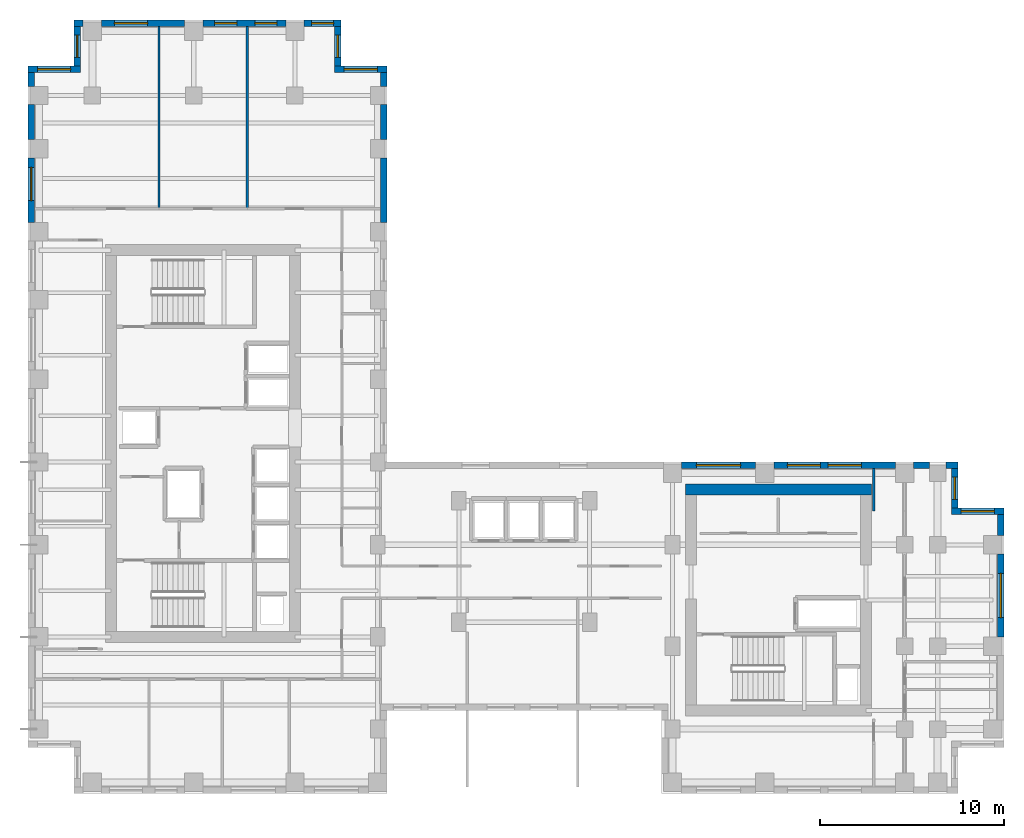
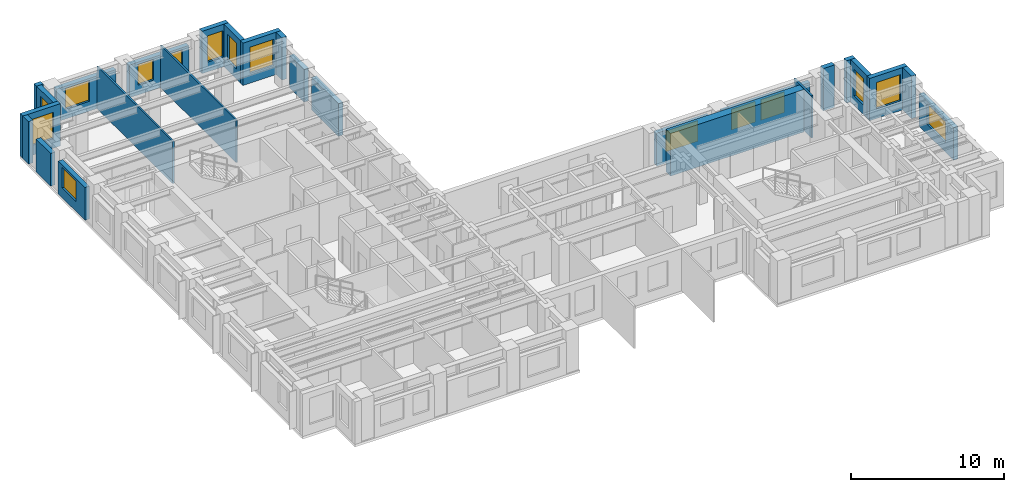
# One storey, part 8 of 11: 26 walls, 15 windows, 15 openings.
"""IFC4 building model written with IfcOpenShell, lengths in metres."""

from ifc_helpers import new_model, si_unit, direction, frame, frame_2d, origin, place, context, subcontext, project, spatial, rectangle, extrude, source, transform, mapped, material, layer, layer_set, type_object, element, fill, save


model = new_model("IFC4")

# Units and contexts
model_context = context("Model", 3, precision=1e-05, world=origin(), true_north=direction((0.0, 1.0)))
body_context = subcontext(model_context, "Body", "Model", "MODEL_VIEW")
ifc_project = project(units=[si_unit("LENGTHUNIT", "METRE"), si_unit("AREAUNIT", "SQUARE_METRE"), si_unit("VOLUMEUNIT", "CUBIC_METRE"), si_unit("PLANEANGLEUNIT", "RADIAN"), si_unit("MASSUNIT", "GRAM", prefix="KILO")], contexts=[model_context])

# Site, building, storey
site_placement = place(None, origin())
site = spatial("IfcSite", under=ifc_project, at=site_placement, CompositionType="ELEMENT")
building_placement = place(site_placement, origin())
building = spatial("IfcBuilding", under=site, at=building_placement, Name="Kharzan Plaza Tower", CompositionType="ELEMENT")
storey_placement = place(building_placement, frame((0.0, 0.0, 150.300048828125)))
storey = spatial("IfcBuildingStorey", under=building, at=storey_placement, Name="L40", CompositionType="ELEMENT", Elevation=150.300048828125)

# Wall, opening, window
ifc_material_1 = material(Name="Concrete C40/50", Category="concrete")
ifc_layer_1 = layer(ifc_material_1, 0.35009765625)
ifc_layer_set_1 = layer_set([ifc_layer_1], Name="Concrete C40/50")
wall_type_1 = type_object("IfcWallType", Name="WL-EXT-MAS-Z3", PredefinedType="SOLIDWALL", material=ifc_layer_set_1)
wall_1_placement = place(storey_placement, frame((19.5, 39.324951171875, 0.0), z_axis=(0.0, 0.0, 1.0), x_axis=(-1.0, 0.0, 0.0)))
wall_1 = element("IfcWall", 1, at=wall_1_placement, inside=storey, type_object=wall_type_1, Name="L40 Masonry-Frame Exterior Wall 01", PredefinedType="SOLIDWALL", context=body_context, shape_type="SweptSolid", body=[
    extrude(rectangle(XDim=2.85009765625, YDim=0.35009765625, at=frame_2d((1.425048828125, 0.0))), origin(), (0.0, 0.0, 1.0), 3.385009765625),
])
opening_1_placement = place(wall_1_placement, frame((0.52490234375, 0.0, 0.780029296875)))
opening_1 = element("IfcOpeningElement", 2, at=opening_1_placement, cuts=wall_1, Name="Opening W1", PredefinedType="OPENING", context=body_context, shape_type="SweptSolid", body=[
    extrude(rectangle(XDim=1.800048828125, YDim=2.10009765625, at=frame_2d((0.89990234375, 1.050048828125))), frame((0.0, 0.18505859375, 0.0), z_axis=(0.0, -1.0, 0.0), x_axis=(1.0, 0.0, 0.0)), (0.0, 0.0, 1.0), 0.3701171875),
])
ifc_material_2 = material(Name="Low-E Double Glazing", Category="glass")
window_type_1 = type_object("IfcWindowType", Name="WN-REC-1800x2100", PartitioningType="SINGLE_PANEL", PredefinedType="WINDOW", material=ifc_material_2)
shared_shape_1 = source(origin(), body_context, "Body", "SweptSolid", [
    extrude(rectangle(XDim=1.800048828125, YDim=2.10009765625, at=frame_2d((0.89990234375, 1.050048828125))), frame((0.0, 0.030029296875, 0.0), z_axis=(0.0, -1.0, 0.0), x_axis=(1.0, 0.0, 0.0)), (0.0, 0.0, 1.0), 0.06005859375),
])
window_1_placement = place(opening_1_placement, origin())
window_1 = element("IfcWindow", 3, at=window_1_placement, inside=storey, type_object=window_type_1, Name="L40 Recessed Solar-Control Window 01-1", OverallHeight=2.10009765625, OverallWidth=1.800048828125, PartitioningType="SINGLE_PANEL", PredefinedType="WINDOW", context=body_context, shape_type="MappedRepresentation", body=[
    mapped(shared_shape_1, transform((0.0, 0.0, 0.0), x_axis=(1.0, 0.0, 0.0), y_axis=(0.0, 1.0, 0.0), z_axis=(0.0, 0.0, 1.0))),
])
fill(opening_1, window_1)

wall_2_placement = place(storey_placement, frame((16.824951171875, 39.498046875, 0.0), z_axis=(0.0, 0.0, 1.0), x_axis=(0.0, 1.0, 0.0)))
wall_2 = element("IfcWall", 4, at=wall_2_placement, inside=storey, type_object=wall_type_1, Name="L40 Masonry-Frame Exterior Wall 02", PredefinedType="SOLIDWALL", context=body_context, shape_type="SweptSolid", body=[
    extrude(rectangle(XDim=2.154052734375, YDim=0.35009765625, at=frame_2d((1.0771484375, 0.0))), origin(), (0.0, 0.0, 1.0), 3.385009765625),
])
opening_2_placement = place(wall_2_placement, frame((0.47705078125, 0.0, 0.780029296875)))
opening_2 = element("IfcOpeningElement", 5, at=opening_2_placement, cuts=wall_2, Name="Opening W3", PredefinedType="OPENING", context=body_context, shape_type="SweptSolid", body=[
    extrude(rectangle(XDim=1.199951171875, YDim=2.10009765625, at=frame_2d((0.60009765625, 1.050048828125))), frame((0.0, 0.18505859375, 0.0), z_axis=(0.0, -1.0, 0.0), x_axis=(1.0, 0.0, 0.0)), (0.0, 0.0, 1.0), 0.3701171875),
])
window_type_2 = type_object("IfcWindowType", Name="WN-REC-1200x2100", PartitioningType="SINGLE_PANEL", PredefinedType="WINDOW", material=ifc_material_2)
shared_shape_2 = source(origin(), body_context, "Body", "SweptSolid", [
    extrude(rectangle(XDim=1.199951171875, YDim=2.10009765625, at=frame_2d((0.60009765625, 1.050048828125))), frame((0.0, 0.030029296875, 0.0), z_axis=(0.0, -1.0, 0.0), x_axis=(1.0, 0.0, 0.0)), (0.0, 0.0, 1.0), 0.06005859375),
])
window_2_placement = place(opening_2_placement, origin())
window_2 = element("IfcWindow", 6, at=window_2_placement, inside=storey, type_object=window_type_2, Name="L40 Recessed Solar-Control Window 02-1", OverallHeight=2.10009765625, OverallWidth=1.199951171875, PartitioningType="SINGLE_PANEL", PredefinedType="WINDOW", context=body_context, shape_type="MappedRepresentation", body=[
    mapped(shared_shape_2, transform((0.0, 0.0, 0.0), x_axis=(1.0, 0.0, 0.0), y_axis=(0.0, 1.0, 0.0), z_axis=(0.0, 0.0, 1.0))),
])
fill(opening_2, window_2)

wall_3_placement = place(storey_placement, frame((17.0, 41.824951171875, 0.0), z_axis=(0.0, 0.0, 1.0), x_axis=(-1.0, 0.0, 0.0)))
wall_3 = element("IfcWall", 7, at=wall_3_placement, inside=storey, type_object=wall_type_1, Name="L40 Masonry-Frame Exterior Wall 03", PredefinedType="SOLIDWALL", context=body_context, shape_type="SweptSolid", body=[
    extrude(rectangle(XDim=2.001953125, YDim=0.35009765625, at=frame_2d((1.0009765625, 0.0))), origin(), (0.0, 0.0, 1.0), 3.385009765625),
])
opening_3_placement = place(wall_3_placement, frame((0.40087890625, 0.0, 0.780029296875)))
opening_3 = element("IfcOpeningElement", 8, at=opening_3_placement, cuts=wall_3, Name="Opening W3", PredefinedType="OPENING", context=body_context, shape_type="SweptSolid", body=[
    extrude(rectangle(XDim=1.199951171875, YDim=2.10009765625, at=frame_2d((0.60009765625, 1.050048828125))), frame((0.0, 0.18505859375, 0.0), z_axis=(0.0, -1.0, 0.0), x_axis=(1.0, 0.0, 0.0)), (0.0, 0.0, 1.0), 0.3701171875),
])
window_3_placement = place(opening_3_placement, origin())
window_3 = element("IfcWindow", 9, at=window_3_placement, inside=storey, type_object=window_type_2, Name="L40 Recessed Solar-Control Window 03-1", OverallHeight=2.10009765625, OverallWidth=1.199951171875, PartitioningType="SINGLE_PANEL", PredefinedType="WINDOW", context=body_context, shape_type="MappedRepresentation", body=[
    mapped(shared_shape_2, transform((0.0, 0.0, 0.0), x_axis=(1.0, 0.0, 0.0), y_axis=(0.0, 1.0, 0.0), z_axis=(0.0, 0.0, 1.0))),
])
fill(opening_3, window_3)

# Wall, openings, windows
wall_4_placement = place(storey_placement, frame((14.001953125, 41.824951171875, 0.0), z_axis=(0.0, 0.0, 1.0), x_axis=(-1.0, 0.0, 0.0)))
wall_4 = element("IfcWall", 10, at=wall_4_placement, inside=storey, type_object=wall_type_1, Name="L40 Masonry-Frame Exterior Wall 04", PredefinedType="SOLIDWALL", context=body_context, shape_type="SweptSolid", body=[
    extrude(rectangle(XDim=4.50390625, YDim=0.35009765625, at=frame_2d((2.251953125, 0.0))), origin(), (0.0, 0.0, 1.0), 2.612060546875),
])
opening_4_placement = place(wall_4_placement, frame((0.47802734375, 0.0, 0.780029296875)))
opening_4 = element("IfcOpeningElement", 11, at=opening_4_placement, cuts=wall_4, Name="Opening W3", PredefinedType="OPENING", context=body_context, shape_type="SweptSolid", body=[
    extrude(rectangle(XDim=1.199951171875, YDim=1.652099609375, at=frame_2d((0.60009765625, 0.826171875))), frame((0.0, 0.18505859375, 0.0), z_axis=(0.0, -1.0, 0.0), x_axis=(1.0, 0.0, 0.0)), (0.0, 0.0, 1.0), 0.3701171875),
])
opening_5_placement = place(wall_4_placement, frame((2.659912109375, 0.0, 0.780029296875)))
opening_5 = element("IfcOpeningElement", 12, at=opening_5_placement, cuts=wall_4, Name="Opening W3", PredefinedType="OPENING", context=body_context, shape_type="SweptSolid", body=[
    extrude(rectangle(XDim=1.199951171875, YDim=1.652099609375, at=frame_2d((0.60009765625, 0.826171875))), frame((0.0, 0.18505859375, 0.0), z_axis=(0.0, -1.0, 0.0), x_axis=(1.0, 0.0, 0.0)), (0.0, 0.0, 1.0), 0.3701171875),
])
shared_shape_3 = source(origin(), body_context, "Body", "SweptSolid", [
    extrude(rectangle(XDim=1.199951171875, YDim=1.652099609375, at=frame_2d((0.60009765625, 0.826171875))), frame((0.0, 0.030029296875, 0.0), z_axis=(0.0, -1.0, 0.0), x_axis=(1.0, 0.0, 0.0)), (0.0, 0.0, 1.0), 0.06005859375),
])
window_4_placement = place(opening_4_placement, origin())
window_4 = element("IfcWindow", 13, at=window_4_placement, inside=storey, type_object=window_type_2, Name="L40 Recessed Solar-Control Window 04-1", OverallHeight=1.652099609375, OverallWidth=1.199951171875, PartitioningType="SINGLE_PANEL", PredefinedType="WINDOW", context=body_context, shape_type="MappedRepresentation", body=[
    mapped(shared_shape_3, transform((0.0, 0.0, 0.0), x_axis=(1.0, 0.0, 0.0), y_axis=(0.0, 1.0, 0.0), z_axis=(0.0, 0.0, 1.0))),
])
fill(opening_4, window_4)
window_5_placement = place(opening_5_placement, origin())
window_5 = element("IfcWindow", 14, at=window_5_placement, inside=storey, type_object=window_type_2, Name="L40 Recessed Solar-Control Window 04-2", OverallHeight=1.652099609375, OverallWidth=1.199951171875, PartitioningType="SINGLE_PANEL", PredefinedType="WINDOW", context=body_context, shape_type="MappedRepresentation", body=[
    mapped(shared_shape_3, transform((0.0, 0.0, 0.0), x_axis=(1.0, 0.0, 0.0), y_axis=(0.0, 1.0, 0.0), z_axis=(0.0, 0.0, 1.0))),
])
fill(opening_5, window_5)

# Wall, opening, window
wall_5_placement = place(storey_placement, frame((8.501953125, 41.824951171875, 0.0), z_axis=(0.0, 0.0, 1.0), x_axis=(-1.0, 0.0, 0.0)))
wall_5 = element("IfcWall", 15, at=wall_5_placement, inside=storey, type_object=wall_type_1, Name="L40 Masonry-Frame Exterior Wall 05", PredefinedType="SOLIDWALL", context=body_context, shape_type="SweptSolid", body=[
    extrude(rectangle(XDim=4.50390625, YDim=0.35009765625, at=frame_2d((2.251953125, 0.0))), origin(), (0.0, 0.0, 1.0), 2.612060546875),
])
opening_6_placement = place(wall_5_placement, frame((2.007568359375, 0.0, 0.780029296875)))
opening_6 = element("IfcOpeningElement", 16, at=opening_6_placement, cuts=wall_5, Name="Opening W1", PredefinedType="OPENING", context=body_context, shape_type="SweptSolid", body=[
    extrude(rectangle(XDim=1.800048828125, YDim=1.652099609375, at=frame_2d((0.89990234375, 0.826171875))), frame((0.0, 0.18505859375, 0.0), z_axis=(0.0, -1.0, 0.0), x_axis=(1.0, 0.0, 0.0)), (0.0, 0.0, 1.0), 0.3701171875),
])
shared_shape_4 = source(origin(), body_context, "Body", "SweptSolid", [
    extrude(rectangle(XDim=1.800048828125, YDim=1.652099609375, at=frame_2d((0.89990234375, 0.826171875))), frame((0.0, 0.030029296875, 0.0), z_axis=(0.0, -1.0, 0.0), x_axis=(1.0, 0.0, 0.0)), (0.0, 0.0, 1.0), 0.06005859375),
])
window_6_placement = place(opening_6_placement, origin())
window_6 = element("IfcWindow", 17, at=window_6_placement, inside=storey, type_object=window_type_1, Name="L40 Recessed Solar-Control Window 05-1", OverallHeight=1.652099609375, OverallWidth=1.800048828125, PartitioningType="SINGLE_PANEL", PredefinedType="WINDOW", context=body_context, shape_type="MappedRepresentation", body=[
    mapped(shared_shape_4, transform((0.0, 0.0, 0.0), x_axis=(1.0, 0.0, 0.0), y_axis=(0.0, 1.0, 0.0), z_axis=(0.0, 0.0, 1.0))),
])
fill(opening_6, window_6)

wall_6_placement = place(storey_placement, frame((2.675048828125, 41.652099609375, 0.0), z_axis=(0.0, 0.0, 1.0), x_axis=(0.0, -1.0, 0.0)))
wall_6 = element("IfcWall", 18, at=wall_6_placement, inside=storey, type_object=wall_type_1, Name="L40 Masonry-Frame Exterior Wall 07", PredefinedType="SOLIDWALL", context=body_context, shape_type="SweptSolid", body=[
    extrude(rectangle(XDim=2.154052734375, YDim=0.35009765625, at=frame_2d((1.0771484375, 0.0))), origin(), (0.0, 0.0, 1.0), 3.385009765625),
])
opening_7_placement = place(wall_6_placement, frame((0.47705078125, 0.0, 0.780029296875)))
opening_7 = element("IfcOpeningElement", 19, at=opening_7_placement, cuts=wall_6, Name="Opening W3", PredefinedType="OPENING", context=body_context, shape_type="SweptSolid", body=[
    extrude(rectangle(XDim=1.199951171875, YDim=2.10009765625, at=frame_2d((0.60009765625, 1.050048828125))), frame((0.0, 0.18505859375, 0.0), z_axis=(0.0, -1.0, 0.0), x_axis=(1.0, 0.0, 0.0)), (0.0, 0.0, 1.0), 0.3701171875),
])
window_7_placement = place(opening_7_placement, origin())
window_7 = element("IfcWindow", 20, at=window_7_placement, inside=storey, type_object=window_type_2, Name="L40 Recessed Solar-Control Window 07-1", OverallHeight=2.10009765625, OverallWidth=1.199951171875, PartitioningType="SINGLE_PANEL", PredefinedType="WINDOW", context=body_context, shape_type="MappedRepresentation", body=[
    mapped(shared_shape_2, transform((0.0, 0.0, 0.0), x_axis=(1.0, 0.0, 0.0), y_axis=(0.0, 1.0, 0.0), z_axis=(0.0, 0.0, 1.0))),
])
fill(opening_7, window_7)

wall_7_placement = place(storey_placement, frame((2.85009765625, 39.324951171875, 0.0), z_axis=(0.0, 0.0, 1.0), x_axis=(-1.0, 0.0, 0.0)))
wall_7 = element("IfcWall", 21, at=wall_7_placement, inside=storey, type_object=wall_type_1, Name="L40 Masonry-Frame Exterior Wall 08", PredefinedType="SOLIDWALL", context=body_context, shape_type="SweptSolid", body=[
    extrude(rectangle(XDim=2.85009765625, YDim=0.35009765625, at=frame_2d((1.425048828125, 0.0))), origin(), (0.0, 0.0, 1.0), 3.385009765625),
])
opening_8_placement = place(wall_7_placement, frame((0.52490234375, 0.0, 0.780029296875)))
opening_8 = element("IfcOpeningElement", 22, at=opening_8_placement, cuts=wall_7, Name="Opening W1", PredefinedType="OPENING", context=body_context, shape_type="SweptSolid", body=[
    extrude(rectangle(XDim=1.800048828125, YDim=2.10009765625, at=frame_2d((0.89990234375, 1.050048828125))), frame((0.0, 0.18505859375, 0.0), z_axis=(0.0, -1.0, 0.0), x_axis=(1.0, 0.0, 0.0)), (0.0, 0.0, 1.0), 0.3701171875),
])
window_8_placement = place(opening_8_placement, origin())
window_8 = element("IfcWindow", 23, at=window_8_placement, inside=storey, type_object=window_type_1, Name="L40 Recessed Solar-Control Window 08-1", OverallHeight=2.10009765625, OverallWidth=1.800048828125, PartitioningType="SINGLE_PANEL", PredefinedType="WINDOW", context=body_context, shape_type="MappedRepresentation", body=[
    mapped(shared_shape_1, transform((0.0, 0.0, 0.0), x_axis=(1.0, 0.0, 0.0), y_axis=(0.0, 1.0, 0.0), z_axis=(0.0, 0.0, 1.0))),
])
fill(opening_8, window_8)

wall_8_placement = place(storey_placement, frame((0.175048828125, 34.501953125, 0.0), z_axis=(0.0, 0.0, 1.0), x_axis=(0.0, -1.0, 0.0)))
wall_8 = element("IfcWall", 24, at=wall_8_placement, inside=storey, type_object=wall_type_1, Name="L40 Masonry-Frame Exterior Wall 11", PredefinedType="SOLIDWALL", context=body_context, shape_type="SweptSolid", body=[
    extrude(rectangle(XDim=3.50390625, YDim=0.35009765625, at=frame_2d((1.751953125, 0.0))), origin(), (0.0, 0.0, 1.0), 2.612060546875),
])
opening_9_placement = place(wall_8_placement, frame((0.510986328125, 0.0, 0.780029296875)))
opening_9 = element("IfcOpeningElement", 25, at=opening_9_placement, cuts=wall_8, Name="Opening W1", PredefinedType="OPENING", context=body_context, shape_type="SweptSolid", body=[
    extrude(rectangle(XDim=1.800048828125, YDim=1.652099609375, at=frame_2d((0.89990234375, 0.826171875))), frame((0.0, 0.18505859375, 0.0), z_axis=(0.0, -1.0, 0.0), x_axis=(1.0, 0.0, 0.0)), (0.0, 0.0, 1.0), 0.3701171875),
])
window_9_placement = place(opening_9_placement, origin())
window_9 = element("IfcWindow", 26, at=window_9_placement, inside=storey, type_object=window_type_1, Name="L40 Recessed Solar-Control Window 11-1", OverallHeight=1.652099609375, OverallWidth=1.800048828125, PartitioningType="SINGLE_PANEL", PredefinedType="WINDOW", context=body_context, shape_type="MappedRepresentation", body=[
    mapped(shared_shape_4, transform((0.0, 0.0, 0.0), x_axis=(1.0, 0.0, 0.0), y_axis=(0.0, 1.0, 0.0), z_axis=(0.0, 0.0, 1.0))),
])
fill(opening_9, window_9)

wall_9_placement = place(storey_placement, frame((52.824951171875, 8.498046875, 0.0), z_axis=(0.0, 0.0, 1.0), x_axis=(0.0, 1.0, 0.0)))
wall_9 = element("IfcWall", 27, at=wall_9_placement, inside=storey, type_object=wall_type_1, Name="L40 Masonry-Frame Exterior Wall 36", PredefinedType="SOLIDWALL", context=body_context, shape_type="SweptSolid", body=[
    extrude(rectangle(XDim=4.50390625, YDim=0.35009765625, at=frame_2d((2.251953125, 0.0))), origin(), (0.0, 0.0, 1.0), 2.612060546875),
])
opening_10_placement = place(wall_9_placement, frame((1.052001953125, 0.0, 0.780029296875)))
opening_10 = element("IfcOpeningElement", 28, at=opening_10_placement, cuts=wall_9, Name="Opening W2", PredefinedType="OPENING", context=body_context, shape_type="SweptSolid", body=[
    extrude(rectangle(XDim=2.39990234375, YDim=1.652099609375, at=frame_2d((1.199951171875, 0.826171875))), frame((0.0, 0.18505859375, 0.0), z_axis=(0.0, -1.0, 0.0), x_axis=(1.0, 0.0, 0.0)), (0.0, 0.0, 1.0), 0.3701171875),
])
window_type_3 = type_object("IfcWindowType", Name="WN-REC-2400x2100", PartitioningType="SINGLE_PANEL", PredefinedType="WINDOW", material=ifc_material_2)
shared_shape_5 = source(origin(), body_context, "Body", "SweptSolid", [
    extrude(rectangle(XDim=2.39990234375, YDim=1.652099609375, at=frame_2d((1.199951171875, 0.826171875))), frame((0.0, 0.030029296875, 0.0), z_axis=(0.0, -1.0, 0.0), x_axis=(1.0, 0.0, 0.0)), (0.0, 0.0, 1.0), 0.06005859375),
])
window_10_placement = place(opening_10_placement, origin())
window_10 = element("IfcWindow", 29, at=window_10_placement, inside=storey, type_object=window_type_3, Name="L40 Wide Recessed Solar-Control Window 36-1", OverallHeight=1.652099609375, OverallWidth=2.39990234375, PartitioningType="SINGLE_PANEL", PredefinedType="WINDOW", context=body_context, shape_type="MappedRepresentation", body=[
    mapped(shared_shape_5, transform((0.0, 0.0, 0.0), x_axis=(1.0, 0.0, 0.0), y_axis=(0.0, 1.0, 0.0), z_axis=(0.0, 0.0, 1.0))),
])
fill(opening_10, window_10)

wall_10_placement = place(storey_placement, frame((53.0, 15.324951171875, 0.0), z_axis=(0.0, 0.0, 1.0), x_axis=(-1.0, 0.0, 0.0)))
wall_10 = element("IfcWall", 30, at=wall_10_placement, inside=storey, type_object=wall_type_1, Name="L40 Masonry-Frame Exterior Wall 38", PredefinedType="SOLIDWALL", context=body_context, shape_type="SweptSolid", body=[
    extrude(rectangle(XDim=2.85009765625, YDim=0.35009765625, at=frame_2d((1.425048828125, 0.0))), origin(), (0.0, 0.0, 1.0), 3.385009765625),
])
opening_11_placement = place(wall_10_placement, frame((0.52490234375, 0.0, 0.780029296875)))
opening_11 = element("IfcOpeningElement", 31, at=opening_11_placement, cuts=wall_10, Name="Opening W1", PredefinedType="OPENING", context=body_context, shape_type="SweptSolid", body=[
    extrude(rectangle(XDim=1.800048828125, YDim=2.10009765625, at=frame_2d((0.89990234375, 1.050048828125))), frame((0.0, 0.18505859375, 0.0), z_axis=(0.0, -1.0, 0.0), x_axis=(1.0, 0.0, 0.0)), (0.0, 0.0, 1.0), 0.3701171875),
])
window_11_placement = place(opening_11_placement, origin())
window_11 = element("IfcWindow", 32, at=window_11_placement, inside=storey, type_object=window_type_1, Name="L40 Recessed Solar-Control Window 38-1", OverallHeight=2.10009765625, OverallWidth=1.800048828125, PartitioningType="SINGLE_PANEL", PredefinedType="WINDOW", context=body_context, shape_type="MappedRepresentation", body=[
    mapped(shared_shape_1, transform((0.0, 0.0, 0.0), x_axis=(1.0, 0.0, 0.0), y_axis=(0.0, 1.0, 0.0), z_axis=(0.0, 0.0, 1.0))),
])
fill(opening_11, window_11)

wall_11_placement = place(storey_placement, frame((50.324951171875, 15.498046875, 0.0), z_axis=(0.0, 0.0, 1.0), x_axis=(0.0, 1.0, 0.0)))
wall_11 = element("IfcWall", 33, at=wall_11_placement, inside=storey, type_object=wall_type_1, Name="L40 Masonry-Frame Exterior Wall 39", PredefinedType="SOLIDWALL", context=body_context, shape_type="SweptSolid", body=[
    extrude(rectangle(XDim=2.154052734375, YDim=0.35009765625, at=frame_2d((1.0771484375, 0.0))), origin(), (0.0, 0.0, 1.0), 3.385009765625),
])
opening_12_placement = place(wall_11_placement, frame((0.47705078125, 0.0, 0.780029296875)))
opening_12 = element("IfcOpeningElement", 34, at=opening_12_placement, cuts=wall_11, Name="Opening W3", PredefinedType="OPENING", context=body_context, shape_type="SweptSolid", body=[
    extrude(rectangle(XDim=1.199951171875, YDim=2.10009765625, at=frame_2d((0.60009765625, 1.050048828125))), frame((0.0, 0.18505859375, 0.0), z_axis=(0.0, -1.0, 0.0), x_axis=(1.0, 0.0, 0.0)), (0.0, 0.0, 1.0), 0.3701171875),
])
window_12_placement = place(opening_12_placement, origin())
window_12 = element("IfcWindow", 35, at=window_12_placement, inside=storey, type_object=window_type_2, Name="L40 Recessed Solar-Control Window 39-1", OverallHeight=2.10009765625, OverallWidth=1.199951171875, PartitioningType="SINGLE_PANEL", PredefinedType="WINDOW", context=body_context, shape_type="MappedRepresentation", body=[
    mapped(shared_shape_2, transform((0.0, 0.0, 0.0), x_axis=(1.0, 0.0, 0.0), y_axis=(0.0, 1.0, 0.0), z_axis=(0.0, 0.0, 1.0))),
])
fill(opening_12, window_12)

# Wall, openings, windows
wall_12_placement = place(storey_placement, frame((47.10205078125, 17.824951171875, 0.0), z_axis=(0.0, 0.0, 1.0), x_axis=(-1.0, 0.0, 0.0)))
wall_12 = element("IfcWall", 36, at=wall_12_placement, inside=storey, type_object=wall_type_1, Name="L40 Masonry-Frame Exterior Wall 42", PredefinedType="SOLIDWALL", context=body_context, shape_type="SweptSolid", body=[
    extrude(rectangle(XDim=6.60400390625, YDim=0.35009765625, at=frame_2d((3.302001953125, 0.0))), origin(), (0.0, 0.0, 1.0), 2.612060546875),
])
opening_13_placement = place(wall_12_placement, frame((1.849365234375, 0.0, 0.780029296875)))
opening_13 = element("IfcOpeningElement", 37, at=opening_13_placement, cuts=wall_12, Name="Opening W1", PredefinedType="OPENING", context=body_context, shape_type="SweptSolid", body=[
    extrude(rectangle(XDim=1.800048828125, YDim=1.652099609375, at=frame_2d((0.89990234375, 0.826171875))), frame((0.0, 0.18505859375, 0.0), z_axis=(0.0, -1.0, 0.0), x_axis=(1.0, 0.0, 0.0)), (0.0, 0.0, 1.0), 0.3701171875),
])
opening_14_placement = place(wall_12_placement, frame((4.066650390625, 0.0, 0.780029296875)))
opening_14 = element("IfcOpeningElement", 38, at=opening_14_placement, cuts=wall_12, Name="Opening W1", PredefinedType="OPENING", context=body_context, shape_type="SweptSolid", body=[
    extrude(rectangle(XDim=1.800048828125, YDim=1.652099609375, at=frame_2d((0.89990234375, 0.826171875))), frame((0.0, 0.18505859375, 0.0), z_axis=(0.0, -1.0, 0.0), x_axis=(1.0, 0.0, 0.0)), (0.0, 0.0, 1.0), 0.3701171875),
])
window_13_placement = place(opening_13_placement, origin())
window_13 = element("IfcWindow", 39, at=window_13_placement, inside=storey, type_object=window_type_1, Name="L40 Recessed Solar-Control Window 42-1", OverallHeight=1.652099609375, OverallWidth=1.800048828125, PartitioningType="SINGLE_PANEL", PredefinedType="WINDOW", context=body_context, shape_type="MappedRepresentation", body=[
    mapped(shared_shape_4, transform((0.0, 0.0, 0.0), x_axis=(1.0, 0.0, 0.0), y_axis=(0.0, 1.0, 0.0), z_axis=(0.0, 0.0, 1.0))),
])
fill(opening_13, window_13)
window_14_placement = place(opening_14_placement, origin())
window_14 = element("IfcWindow", 40, at=window_14_placement, inside=storey, type_object=window_type_1, Name="L40 Recessed Solar-Control Window 42-2", OverallHeight=1.652099609375, OverallWidth=1.800048828125, PartitioningType="SINGLE_PANEL", PredefinedType="WINDOW", context=body_context, shape_type="MappedRepresentation", body=[
    mapped(shared_shape_4, transform((0.0, 0.0, 0.0), x_axis=(1.0, 0.0, 0.0), y_axis=(0.0, 1.0, 0.0), z_axis=(0.0, 0.0, 1.0))),
])
fill(opening_14, window_14)

# Wall, opening, window
wall_13_placement = place(storey_placement, frame((39.501953125, 17.824951171875, 0.0), z_axis=(0.0, 0.0, 1.0), x_axis=(-1.0, 0.0, 0.0)))
wall_13 = element("IfcWall", 41, at=wall_13_placement, inside=storey, type_object=wall_type_1, Name="L40 Masonry-Frame Exterior Wall 43", PredefinedType="SOLIDWALL", context=body_context, shape_type="SweptSolid", body=[
    extrude(rectangle(XDim=4.00390625, YDim=0.35009765625, at=frame_2d((2.001953125, 0.0))), origin(), (0.0, 0.0, 1.0), 2.612060546875),
])
opening_15_placement = place(wall_13_placement, frame((0.802001953125, 0.0, 0.780029296875)))
opening_15 = element("IfcOpeningElement", 42, at=opening_15_placement, cuts=wall_13, Name="Opening W2", PredefinedType="OPENING", context=body_context, shape_type="SweptSolid", body=[
    extrude(rectangle(XDim=2.39990234375, YDim=1.652099609375, at=frame_2d((1.199951171875, 0.826171875))), frame((0.0, 0.18505859375, 0.0), z_axis=(0.0, -1.0, 0.0), x_axis=(1.0, 0.0, 0.0)), (0.0, 0.0, 1.0), 0.3701171875),
])
window_15_placement = place(opening_15_placement, origin())
window_15 = element("IfcWindow", 43, at=window_15_placement, inside=storey, type_object=window_type_3, Name="L40 Wide Recessed Solar-Control Window 43-1", OverallHeight=1.652099609375, OverallWidth=2.39990234375, PartitioningType="SINGLE_PANEL", PredefinedType="WINDOW", context=body_context, shape_type="MappedRepresentation", body=[
    mapped(shared_shape_5, transform((0.0, 0.0, 0.0), x_axis=(1.0, 0.0, 0.0), y_axis=(0.0, 1.0, 0.0), z_axis=(0.0, 0.0, 1.0))),
])
fill(opening_15, window_15)

# Walls
ifc_material_3 = material(Name="Concrete C50/60", Category="concrete")
ifc_layer_2 = layer(ifc_material_3, 0.60009765625)
ifc_layer_set_2 = layer_set([ifc_layer_2], Name="Concrete C50/60")
wall_type_2 = type_object("IfcWallType", Name="WL-CORE-600", PredefinedType="SHEAR", material=ifc_layer_set_2)
shared_shape_6 = source(origin(), body_context, "Body", "SweptSolid", [
    extrude(rectangle(XDim=10.10009765625, YDim=0.60009765625, at=frame_2d((5.050048828125, 0.0))), origin(), (0.0, 0.0, 1.0), 3.39990234375),
])
wall_14_placement = place(storey_placement, frame((35.699951171875, 16.5, 0.0), z_axis=(0.0, 0.0, 1.0), x_axis=(1.0, 0.0, 0.0)))
element("IfcWall", 44, at=wall_14_placement, inside=storey, type_object=wall_type_2, Name="L40 CORE-B north RC shear wall", PredefinedType="SHEAR", context=body_context, shape_type="MappedRepresentation", body=[
    mapped(shared_shape_6, transform((0.0, 0.0, 0.0), x_axis=(1.0, 0.0, 0.0), y_axis=(0.0, 1.0, 0.0), z_axis=(0.0, 0.0, 1.0))),
])
shared_shape_7 = source(origin(), body_context, "Body", "SweptSolid", [
    extrude(rectangle(XDim=0.501953125, YDim=0.35009765625, at=frame_2d((0.2509765625, 0.0))), origin(), (0.0, 0.0, 1.0), 3.385009765625),
])
wall_15_placement = place(storey_placement, frame((3.001953125, 41.824951171875, 0.0), z_axis=(0.0, 0.0, 1.0), x_axis=(-1.0, 0.0, 0.0)))
element("IfcWall", 45, at=wall_15_placement, inside=storey, type_object=wall_type_1, Name="L40 Masonry-Frame Exterior Wall 06", PredefinedType="SOLIDWALL", context=body_context, shape_type="MappedRepresentation", body=[
    mapped(shared_shape_7, transform((0.0, 0.0, 0.0), x_axis=(1.0, 0.0, 0.0), y_axis=(0.0, 1.0, 0.0), z_axis=(0.0, 0.0, 1.0))),
])
shared_shape_8 = source(origin(), body_context, "Body", "SweptSolid", [
    extrude(rectangle(XDim=0.754150390625, YDim=0.35009765625, at=frame_2d((0.376953125, 0.0))), origin(), (0.0, 0.0, 1.0), 3.385009765625),
])
for number, where, z_axis, x_axis, name in (
    (46, (0.175048828125, 39.152099609375, 0.0), (0.0, 0.0, 1.0), (0.0, -1.0, 0.0), "L40 Masonry-Frame Exterior Wall 09"),
    (47, (19.324951171875, 38.39794921875, 0.0), (0.0, 0.0, 1.0), (0.0, 1.0, 0.0), "L40 Masonry-Frame Exterior Wall 50"),
):
    element("IfcWall", number, at=place(storey_placement, frame(where, z_axis=z_axis, x_axis=x_axis)), inside=storey, type_object=wall_type_1, Name=name, PredefinedType="SOLIDWALL", context=body_context, shape_type="MappedRepresentation", body=[
        mapped(shared_shape_8, transform((0.0, 0.0, 0.0), x_axis=(1.0, 0.0, 0.0), y_axis=(0.0, 1.0, 0.0), z_axis=(0.0, 0.0, 1.0))),
    ])
shared_shape_9 = source(origin(), body_context, "Body", "SweptSolid", [
    extrude(rectangle(XDim=1.154052734375, YDim=0.35009765625, at=frame_2d((0.5771484375, 0.0))), origin(), (0.0, 0.0, 1.0), 3.385009765625),
])
wall_16_placement = place(storey_placement, frame((52.824951171875, 13.998046875, 0.0), z_axis=(0.0, 0.0, 1.0), x_axis=(0.0, 1.0, 0.0)))
element("IfcWall", 48, at=wall_16_placement, inside=storey, type_object=wall_type_1, Name="L40 Masonry-Frame Exterior Wall 37", PredefinedType="SOLIDWALL", context=body_context, shape_type="MappedRepresentation", body=[
    mapped(shared_shape_9, transform((0.0, 0.0, 0.0), x_axis=(1.0, 0.0, 0.0), y_axis=(0.0, 1.0, 0.0), z_axis=(0.0, 0.0, 1.0))),
])
shared_shape_10 = source(origin(), body_context, "Body", "SweptSolid", [
    extrude(rectangle(XDim=0.652099609375, YDim=0.35009765625, at=frame_2d((0.326171875, 0.0))), origin(), (0.0, 0.0, 1.0), 3.385009765625),
])
wall_17_placement = place(storey_placement, frame((50.5, 17.824951171875, 0.0), z_axis=(0.0, 0.0, 1.0), x_axis=(-1.0, 0.0, 0.0)))
element("IfcWall", 49, at=wall_17_placement, inside=storey, type_object=wall_type_1, Name="L40 Masonry-Frame Exterior Wall 40", PredefinedType="SOLIDWALL", context=body_context, shape_type="MappedRepresentation", body=[
    mapped(shared_shape_10, transform((0.0, 0.0, 0.0), x_axis=(1.0, 0.0, 0.0), y_axis=(0.0, 1.0, 0.0), z_axis=(0.0, 0.0, 1.0))),
])
shared_shape_11 = source(origin(), body_context, "Body", "SweptSolid", [
    extrude(rectangle(XDim=0.85400390625, YDim=0.35009765625, at=frame_2d((0.427001953125, 0.0))), origin(), (0.0, 0.0, 1.0), 3.385009765625),
])
wall_18_placement = place(storey_placement, frame((48.951904296875, 17.824951171875, 0.0), z_axis=(0.0, 0.0, 1.0), x_axis=(-1.0, 0.0, 0.0)))
element("IfcWall", 50, at=wall_18_placement, inside=storey, type_object=wall_type_1, Name="L40 Masonry-Frame Exterior Wall 41", PredefinedType="SOLIDWALL", context=body_context, shape_type="MappedRepresentation", body=[
    mapped(shared_shape_11, transform((0.0, 0.0, 0.0), x_axis=(1.0, 0.0, 0.0), y_axis=(0.0, 1.0, 0.0), z_axis=(0.0, 0.0, 1.0))),
])
ifc_material_4 = material(Name="Fire-Rated Gypsum Board Partition", Category="gypsum")
ifc_layer_3 = layer(ifc_material_4, 0.125)
ifc_layer_set_3 = layer_set([ifc_layer_3], Name="Fire-Rated Gypsum Board Partition")
wall_type_3 = type_object("IfcWallType", Name="WL-INT-PART-125", PredefinedType="PARTITIONING", material=ifc_layer_set_3)
shared_shape_12 = source(origin(), body_context, "Body", "SweptSolid", [
    extrude(rectangle(XDim=2.2978515625, YDim=0.125, at=frame_2d((1.14892578125, 0.0))), origin(), (0.0, 0.0, 1.0), 3.385009765625),
])
wall_19_placement = place(storey_placement, frame((45.919921875, 15.35009765625, 0.0), z_axis=(0.0, 0.0, 1.0), x_axis=(0.0, 1.0, 0.0)))
element("IfcWall", 51, at=wall_19_placement, inside=storey, type_object=wall_type_3, Name="L40 Interior Partition SH-RBNE0", PredefinedType="PARTITIONING", context=body_context, shape_type="MappedRepresentation", body=[
    mapped(shared_shape_12, transform((0.0, 0.0, 0.0), x_axis=(1.0, 0.0, 0.0), y_axis=(0.0, 1.0, 0.0), z_axis=(0.0, 0.0, 1.0))),
])
shared_shape_13 = source(origin(), body_context, "Body", "SweptSolid", [
    extrude(rectangle(XDim=1.904052734375, YDim=0.35009765625, at=frame_2d((0.9521484375, 0.0))), origin(), (0.0, 0.0, 1.0), 2.612060546875),
])
for number, where, z_axis, x_axis, name in (
    (52, (0.175048828125, 37.402099609375, 0.0), (0.0, 0.0, 1.0), (0.0, -1.0, 0.0), "L40 Masonry-Frame Exterior Wall 10"),
    (53, (19.324951171875, 35.498046875, 0.0), (0.0, 0.0, 1.0), (0.0, 1.0, 0.0), "L40 Masonry-Frame Exterior Wall 49"),
):
    element("IfcWall", number, at=place(storey_placement, frame(where, z_axis=z_axis, x_axis=x_axis)), inside=storey, type_object=wall_type_1, Name=name, PredefinedType="SOLIDWALL", context=body_context, shape_type="MappedRepresentation", body=[
        mapped(shared_shape_13, transform((0.0, 0.0, 0.0), x_axis=(1.0, 0.0, 0.0), y_axis=(0.0, 1.0, 0.0), z_axis=(0.0, 0.0, 1.0))),
    ])
shared_shape_14 = source(origin(), body_context, "Body", "SweptSolid", [
    extrude(rectangle(XDim=3.50390625, YDim=0.35009765625, at=frame_2d((1.751953125, 0.0))), origin(), (0.0, 0.0, 1.0), 2.612060546875),
])
wall_20_placement = place(storey_placement, frame((19.324951171875, 30.998046875, 0.0), z_axis=(0.0, 0.0, 1.0), x_axis=(0.0, 1.0, 0.0)))
element("IfcWall", 54, at=wall_20_placement, inside=storey, type_object=wall_type_1, Name="L40 Masonry-Frame Exterior Wall 48", PredefinedType="SOLIDWALL", context=body_context, shape_type="MappedRepresentation", body=[
    mapped(shared_shape_14, transform((0.0, 0.0, 0.0), x_axis=(1.0, 0.0, 0.0), y_axis=(0.0, 1.0, 0.0), z_axis=(0.0, 0.0, 1.0))),
])
shared_shape_15 = source(origin(), body_context, "Body", "SweptSolid", [
    extrude(rectangle(XDim=9.89794921875, YDim=0.125, at=frame_2d((4.948974609375, 0.0))), origin(), (0.0, 0.0, 1.0), 3.385009765625),
])
for number, where, z_axis, x_axis, name in (
    (55, (7.12109375, 31.75, 0.0), (0.0, 0.0, 1.0), (0.0, 1.0, 0.0), "L40 Interior Partition SH-NV-1"),
    (56, (11.916015625, 31.75, 0.0), (0.0, 0.0, 1.0), (0.0, 1.0, 0.0), "L40 Interior Partition SH-NV-2"),
):
    element("IfcWall", number, at=place(storey_placement, frame(where, z_axis=z_axis, x_axis=x_axis)), inside=storey, type_object=wall_type_3, Name=name, PredefinedType="PARTITIONING", context=body_context, shape_type="MappedRepresentation", body=[
        mapped(shared_shape_15, transform((0.0, 0.0, 0.0), x_axis=(1.0, 0.0, 0.0), y_axis=(0.0, 1.0, 0.0), z_axis=(0.0, 0.0, 1.0))),
    ])

save(model, "model.ifc")
